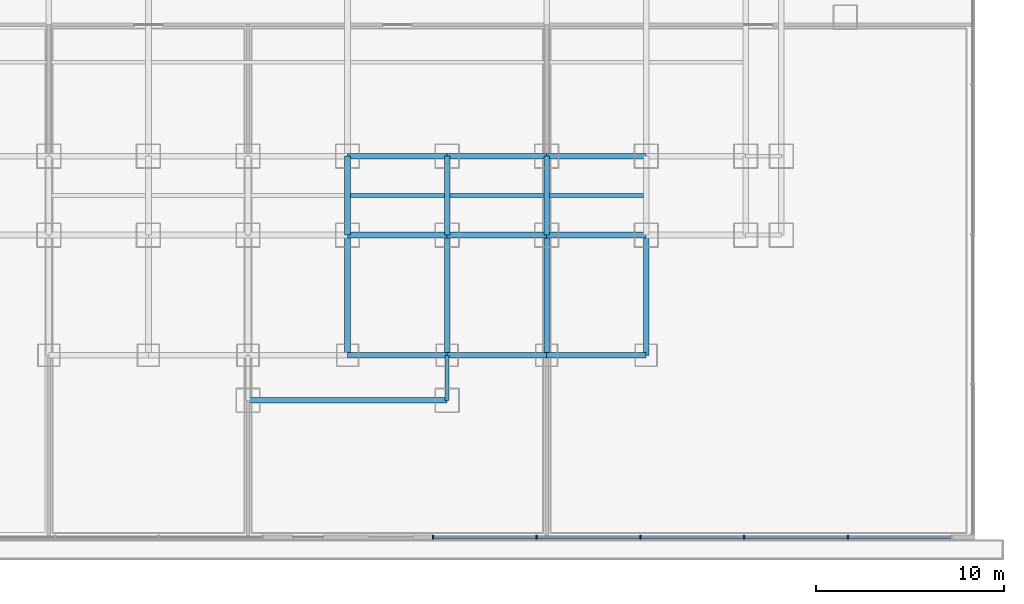
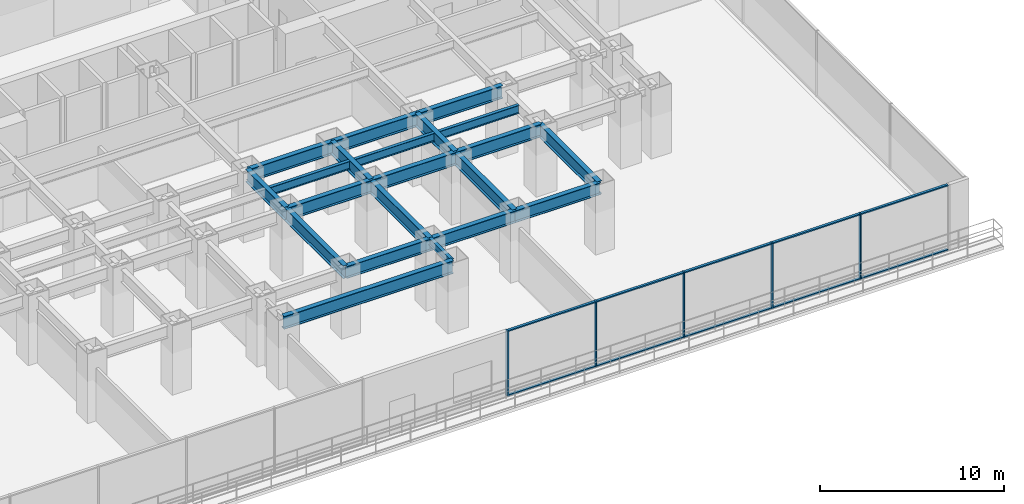
# One storey, part 3 of 13: 21 beams, 15 members, 1 element without a shape of its own.
"""IFC4 building model written with IfcOpenShell, lengths in metres."""

import ifcopenshell
import ifcopenshell.guid

model = None  # the IFC model being written
_history = None  # IfcOwnerHistory: only IFC2X3 demands one
_inside = {}  # id of a spatial element -> (the spatial element, [elements in it])
_under = {}  # id of a project, library or spatial element -> (it, [spatial elements below it])
_declared = {}  # id of a project -> (the project, [libraries it declares])
_typed = {}  # id of a type object -> (the type object, [elements of that type])
_made_of = {}  # id of a material, layer set ... -> (it, [elements and type objects made of it])


def new_model(schema):
    """Start an empty IFC model of exactly this schema.

    Asked for "IFC4X3", IfcOpenShell would pick the latest addendum, in which some entities
    have other attributes; the version numbers below select the first issue.
    IFC2X3 requires an IfcOwnerHistory on every rooted entity: one is made here for all.
    """
    global model, _history
    if schema == "IFC4X3":
        model = ifcopenshell.file(schema_version=(4, 3, 0, 0))
    else:
        model = ifcopenshell.file(schema=schema)
    _inside.clear()
    _under.clear()
    _declared.clear()
    _typed.clear()
    _made_of.clear()
    _history = None
    if model.schema == "IFC2X3":
        org = make("IfcOrganization", Name="unknown")
        user = make(
            "IfcPersonAndOrganization",
            ThePerson=make("IfcPerson", FamilyName="unknown"),
            TheOrganization=org,
        )
        app = make(
            "IfcApplication",
            ApplicationDeveloper=org,
            Version="unknown",
            ApplicationFullName="unknown",
            ApplicationIdentifier="unknown",
        )
        _history = make(
            "IfcOwnerHistory",
            OwningUser=user,
            OwningApplication=app,
            ChangeAction="ADDED",
            CreationDate=0,
        )
    return model


def make(cls, **values):
    """One entity of the class cls with the attributes given. An attribute that is None is left unset."""
    return model.create_entity(
        cls, **{name: value for name, value in values.items() if value is not None}
    )


def rooted(cls, **values):
    """An entity with a GlobalId (a new one), such as an element, a storey or a relation."""
    return make(cls, GlobalId=ifcopenshell.guid.new(), OwnerHistory=_history, **values)


def si_unit(unit_type, name, prefix=None):
    """IfcSIUnit, for example si_unit("LENGTHUNIT", "METRE", prefix="MILLI")."""
    return make("IfcSIUnit", UnitType=unit_type, Prefix=prefix, Name=name)


def assignment(units):
    """IfcUnitAssignment: the units of a project."""
    return None if units is None else make("IfcUnitAssignment", Units=units)


def point(xyz):
    """IfcCartesianPoint."""
    return None if xyz is None else make("IfcCartesianPoint", Coordinates=xyz)


def direction(xyz):
    """IfcDirection."""
    return None if xyz is None else make("IfcDirection", DirectionRatios=xyz)


def frame(location, z_axis=None, x_axis=None):
    """IfcAxis2Placement3D, a coordinate frame: its origin and axes. An axis left out is left unset."""
    return make(
        "IfcAxis2Placement3D",
        Location=point(location),
        Axis=direction(z_axis),
        RefDirection=direction(x_axis),
    )


def frame_2d(location, x_axis=None):
    """IfcAxis2Placement2D, a coordinate frame in the plane: its origin and x axis."""
    return make(
        "IfcAxis2Placement2D", Location=point(location), RefDirection=direction(x_axis)
    )


def origin():
    """The frame at (0, 0, 0) with its axes left unset."""
    return frame((0.0, 0.0, 0.0))


def origin_2d():
    """The frame at (0, 0) in the plane with its x axis left unset."""
    return frame_2d((0.0, 0.0))


def place(relative_to, where):
    """IfcLocalPlacement: puts the frame where relative to a parent placement (None: the world)."""
    return make(
        "IfcLocalPlacement", PlacementRelTo=relative_to, RelativePlacement=where
    )


def context(
    kind, dimensions, precision=None, world=None, true_north=None, identifier=None
):
    """IfcGeometricRepresentationContext, for example the 3D "Model" context."""
    return make(
        "IfcGeometricRepresentationContext",
        ContextIdentifier=identifier,
        ContextType=kind,
        CoordinateSpaceDimension=dimensions,
        Precision=precision,
        WorldCoordinateSystem=world,
        TrueNorth=true_north,
    )


def subcontext(parent, identifier, kind, view, scale=None):
    """IfcGeometricRepresentationSubContext, for example "Body" below "Model"."""
    return make(
        "IfcGeometricRepresentationSubContext",
        ContextIdentifier=identifier,
        ContextType=kind,
        ParentContext=parent,
        TargetScale=scale,
        TargetView=view,
    )


def project(units=None, contexts=None):
    """IfcProject with its units and contexts."""
    return rooted(
        "IfcProject",
        Name="project",
        RepresentationContexts=contexts,
        UnitsInContext=assignment(units),
    )


def spatial(cls, under=None, at=None, **own):
    """A site, building, storey or space (cls), placed at a placement, below another one or the project."""
    s = rooted(cls, ObjectPlacement=at, **own)
    if under is not None:
        _under.setdefault(under.id(), (under, []))[1].append(s)
    return s


def profile(cls, at=None, kind="AREA", **sizes):
    """A parametric profile (cls). Its sizes go by their IFC names, for example OverallWidth=200.0."""
    return make(cls, ProfileType=kind, Position=at, **sizes)


def rectangle(**sizes):
    """IfcRectangleProfileDef."""
    return profile("IfcRectangleProfileDef", **sizes)


def i_section(**sizes):
    """IfcIShapeProfileDef."""
    return profile("IfcIShapeProfileDef", **sizes)


def extrude(swept, where, along, depth):
    """IfcExtrudedAreaSolid: the profile swept, set in the frame where, extruded along a direction by depth."""
    return make(
        "IfcExtrudedAreaSolid",
        SweptArea=swept,
        Position=where,
        ExtrudedDirection=direction(along),
        Depth=depth,
    )


def shape(context_of_items, identifier, shape_type, items):
    """IfcShapeRepresentation: the items that make up one representation, for example the "Body"."""
    return make(
        "IfcShapeRepresentation",
        ContextOfItems=context_of_items,
        RepresentationIdentifier=identifier,
        RepresentationType=shape_type,
        Items=items,
    )


def source(mapping_origin, context_of_items, identifier, shape_type, items):
    """IfcRepresentationMap: a shape defined once, which mapped items show again and again."""
    return make(
        "IfcRepresentationMap",
        MappingOrigin=mapping_origin,
        MappedRepresentation=shape(context_of_items, identifier, shape_type, items),
    )


def transform(
    local_origin,
    x_axis=None,
    y_axis=None,
    z_axis=None,
    scale=None,
    scale2=None,
    scale3=None,
    uniform=True,
):
    """IfcCartesianTransformationOperator3D, or its non-uniform kind. x_axis, y_axis, z_axis: its Axis1, 2, 3."""
    if uniform:
        return make(
            "IfcCartesianTransformationOperator3D",
            Axis1=direction(x_axis),
            Axis2=direction(y_axis),
            LocalOrigin=point(local_origin),
            Scale=scale,
            Axis3=direction(z_axis),
        )
    return make(
        "IfcCartesianTransformationOperator3DnonUniform",
        Axis1=direction(x_axis),
        Axis2=direction(y_axis),
        LocalOrigin=point(local_origin),
        Scale=scale,
        Axis3=direction(z_axis),
        Scale2=scale2,
        Scale3=scale3,
    )


def mapped(mapping_source, mapping_target):
    """IfcMappedItem: shows the shape of a source again, moved by a transform."""
    return make(
        "IfcMappedItem", MappingSource=mapping_source, MappingTarget=mapping_target
    )


def material(Name=None, Category=None):
    """IfcMaterial."""
    return make("IfcMaterial", Name=Name, Category=Category)


def layer(
    of_material, thickness, ventilated=None, Name=None, Category=None, Priority=None
):
    """IfcMaterialLayer: one layer of a wall or slab, of a material (None: an air gap)."""
    return make(
        "IfcMaterialLayer",
        Material=of_material,
        LayerThickness=thickness,
        IsVentilated=ventilated,
        Name=Name,
        Category=Category,
        Priority=Priority,
    )


def layer_set(layers, Name=None):
    """IfcMaterialLayerSet."""
    return make("IfcMaterialLayerSet", MaterialLayers=layers, LayerSetName=Name)


def material_profile(
    of_material, cross_section, Name=None, Category=None, Priority=None
):
    """IfcMaterialProfile: a cross section and its material."""
    return make(
        "IfcMaterialProfile",
        Name=Name,
        Material=of_material,
        Profile=cross_section,
        Priority=Priority,
        Category=Category,
    )


def profile_set(profiles, Name=None, composite=None):
    """IfcMaterialProfileSet."""
    return make(
        "IfcMaterialProfileSet",
        Name=Name,
        MaterialProfiles=profiles,
        CompositeProfile=composite,
    )


def made_of(thing, what):
    """Note that an element or type object is made of a material, layer set ...; save() writes the relation."""
    if what is not None:
        _made_of.setdefault(what.id(), (what, []))[1].append(thing)
    return thing


def type_object(cls, material=None, **own):
    """A type object (cls), such as IfcWallType, which elements share."""
    return made_of(rooted(cls, **own), material)


def element(
    cls,
    number,
    at=None,
    inside=None,
    cuts=None,
    type_object=None,
    material=None,
    context=None,
    identifier="Body",
    shape_type=None,
    held_by="IfcProductDefinitionShape",
    body=None,
    shapes=None,
    **own,
):
    """One element of the class cls, such as IfcWall. Its Tag is "e" and its number.

    at: its placement. inside: the storey or other place that contains it. cuts: it is an
    opening in that element (IfcRelVoidsElement). A single representation is given by context,
    identifier, shape_type and body (its items); several are given by shapes. held_by: the class
    of the entity that holds the representations. save() writes the other relations.
    """
    e = rooted(cls, Tag="e%d" % number, ObjectPlacement=at, **own)
    if body is not None:
        shapes = [shape(context, identifier, shape_type, body)]
    if shapes is not None:
        e.Representation = make(held_by, Representations=shapes)
    if inside is not None:
        _inside.setdefault(inside.id(), (inside, []))[1].append(e)
    if cuts is not None:
        rooted(
            "IfcRelVoidsElement", RelatingBuildingElement=cuts, RelatedOpeningElement=e
        )
    if type_object is not None:
        _typed.setdefault(type_object.id(), (type_object, []))[1].append(e)
    return made_of(e, material)


def aggregate(whole, parts):
    """IfcRelAggregates: a whole, such as a stair, and the parts it consists of."""
    return rooted("IfcRelAggregates", RelatingObject=whole, RelatedObjects=parts)


def save(model, path):
    """Write the relations noted so far, then the file.

    IfcRelAggregates (storeys below a building ...), IfcRelContainedInSpatialStructure (elements
    in a storey), IfcRelDefinesByType, IfcRelAssociatesMaterial and IfcRelDeclares: one each for
    every whole, place, type object, material and project.
    """
    for whole, parts in _under.values():
        aggregate(whole, parts)
    for where, things in _inside.values():
        rooted(
            "IfcRelContainedInSpatialStructure",
            RelatedElements=things,
            RelatingStructure=where,
        )
    for kind, things in _typed.values():
        rooted("IfcRelDefinesByType", RelatedObjects=things, RelatingType=kind)
    for what, things in _made_of.values():
        rooted("IfcRelAssociatesMaterial", RelatedObjects=things, RelatingMaterial=what)
    for by, libraries in _declared.values():
        rooted("IfcRelDeclares", RelatingContext=by, RelatedDefinitions=libraries)
    model.write(path)


model = new_model("IFC4")

# Units and contexts
model_context = context("Model", 3, precision=1e-05, world=origin(), true_north=direction((0.0, 1.0)))
body_context = subcontext(model_context, "Body", "Model", "MODEL_VIEW")
ifc_project = project(units=[si_unit("LENGTHUNIT", "METRE"), si_unit("AREAUNIT", "SQUARE_METRE"), si_unit("VOLUMEUNIT", "CUBIC_METRE"), si_unit("PLANEANGLEUNIT", "RADIAN"), si_unit("MASSUNIT", "GRAM", prefix="KILO")], contexts=[model_context])

# Site, building, storey
site_placement = place(None, origin())
site = spatial("IfcSite", under=ifc_project, at=site_placement, CompositionType="ELEMENT")
building_placement = place(site_placement, origin())
building = spatial("IfcBuilding", under=site, at=building_placement, Name="Qianlan Lanfeng Residences", CompositionType="ELEMENT")
storey_placement = place(building_placement, frame((0.0, 0.0, 9.800048828125)))
storey = spatial("IfcBuildingStorey", under=building, at=storey_placement, Name="L02", CompositionType="ELEMENT", Elevation=9.800048828125)

# Beams
ifc_material_1 = material(Name="Steel SN490B", Category="steel")
ifc_material_profile_1 = material_profile(ifc_material_1, i_section(OverallWidth=0.300048828125, OverallDepth=0.85009765625, WebThickness=0.01611328125, FlangeThickness=0.031982421875, at=origin_2d()), Name="H 850x300x16x32")
ifc_profile_set_1 = profile_set([ifc_material_profile_1], Name="Steel SN490B")
beam_type_1 = type_object("IfcBeamType", Name="G-1100", PredefinedType="BEAM", material=ifc_profile_set_1)
beam_1_placement = place(storey_placement, frame((21.199951171875, 1.800048828125, 3.925048828125), z_axis=(1.0, 0.0, 0.0), x_axis=(0.0, 1.0, 0.0)))
element("IfcBeam", 1, at=beam_1_placement, inside=storey, type_object=beam_type_1, Name="Structural beam G-1100", PredefinedType="BEAM", context=body_context, shape_type="SweptSolid", body=[
    extrude(i_section(OverallWidth=0.300048828125, OverallDepth=0.85009765625, WebThickness=0.01611328125, FlangeThickness=0.031982421875, at=origin_2d()), origin(), (0.0, 0.0, 1.0), 10.60009765625),
])
for number, where, z_axis, x_axis, name in (
    (2, (26.5, 10.60009765625, 3.925048828125), (1.0, 0.0, 0.0), (0.0, 1.0, 0.0), "Structural beam G-1100"),
    (3, (31.800048828125, 10.60009765625, 3.925048828125), (1.0, 0.0, 0.0), (0.0, 1.0, 0.0), "Structural beam G-1100"),
):
    element("IfcBeam", number, at=place(storey_placement, frame(where, z_axis=z_axis, x_axis=x_axis)), inside=storey, type_object=beam_type_1, Name=name, PredefinedType="BEAM", context=body_context, shape_type="SweptSolid", body=[
        extrude(i_section(OverallWidth=0.300048828125, OverallDepth=0.85009765625, WebThickness=0.01611328125, FlangeThickness=0.031982421875, at=origin_2d()), origin(), (0.0, 0.0, 1.0), 5.300048828125),
    ])
beam_2_placement = place(storey_placement, frame((37.10009765625, 10.60009765625, 3.925048828125), z_axis=(1.0, 0.0, 0.0), x_axis=(0.0, 1.0, 0.0)))
element("IfcBeam", 4, at=beam_2_placement, inside=storey, type_object=beam_type_1, Name="Structural beam G-1100", PredefinedType="BEAM", context=body_context, shape_type="SweptSolid", body=[
    extrude(i_section(OverallWidth=0.300048828125, OverallDepth=0.85009765625, WebThickness=0.01611328125, FlangeThickness=0.031982421875, at=origin_2d()), origin(), (0.0, 0.0, 1.0), 5.2998046875),
])
for number, where, z_axis, x_axis, name in (
    (5, (26.5, 14.800048828125, 3.925048828125), (1.0, 0.0, 0.0), (0.0, 1.0, 0.0), "Structural beam G-1100"),
    (6, (31.800048828125, 14.800048828125, 3.925048828125), (1.0, 0.0, 0.0), (0.0, 1.0, 0.0), "Structural beam G-1100"),
):
    element("IfcBeam", number, at=place(storey_placement, frame(where, z_axis=z_axis, x_axis=x_axis)), inside=storey, type_object=beam_type_1, Name=name, PredefinedType="BEAM", context=body_context, shape_type="SweptSolid", body=[
        extrude(i_section(OverallWidth=0.300048828125, OverallDepth=0.85009765625, WebThickness=0.01611328125, FlangeThickness=0.031982421875, at=origin_2d()), origin(), (0.0, 0.0, 1.0), 5.300048828125),
    ])
beam_3_placement = place(storey_placement, frame((37.10009765625, 14.800048828125, 3.925048828125), z_axis=(1.0, 0.0, 0.0), x_axis=(0.0, 1.0, 0.0)))
element("IfcBeam", 7, at=beam_3_placement, inside=storey, type_object=beam_type_1, Name="Structural beam G-1100", PredefinedType="BEAM", context=body_context, shape_type="SweptSolid", body=[
    extrude(i_section(OverallWidth=0.300048828125, OverallDepth=0.85009765625, WebThickness=0.01611328125, FlangeThickness=0.031982421875, at=origin_2d()), origin(), (0.0, 0.0, 1.0), 5.2998046875),
])
beam_4_placement = place(storey_placement, frame((26.5, 4.199951171875, 3.925048828125), z_axis=(0.0, 1.0, 0.0), x_axis=(-1.0, 0.0, 0.0)))
element("IfcBeam", 8, at=beam_4_placement, inside=storey, type_object=beam_type_1, Name="Structural beam G-1100", PredefinedType="BEAM", context=body_context, shape_type="SweptSolid", body=[
    extrude(i_section(OverallWidth=0.300048828125, OverallDepth=0.85009765625, WebThickness=0.01611328125, FlangeThickness=0.031982421875, at=origin_2d()), origin(), (0.0, 0.0, 1.0), 6.400146484375),
])
beam_5_placement = place(storey_placement, frame((26.5, 10.60009765625, 3.925048828125), z_axis=(0.0, 1.0, 0.0), x_axis=(-1.0, 0.0, 0.0)))
element("IfcBeam", 9, at=beam_5_placement, inside=storey, type_object=beam_type_1, Name="Structural beam G-1100", PredefinedType="BEAM", context=body_context, shape_type="SweptSolid", body=[
    extrude(i_section(OverallWidth=0.300048828125, OverallDepth=0.85009765625, WebThickness=0.01611328125, FlangeThickness=0.031982421875, at=origin_2d()), origin(), (0.0, 0.0, 1.0), 4.199951171875),
])
beam_6_placement = place(storey_placement, frame((31.800048828125, 4.199951171875, 3.925048828125), z_axis=(0.0, 1.0, 0.0), x_axis=(-1.0, 0.0, 0.0)))
element("IfcBeam", 10, at=beam_6_placement, inside=storey, type_object=beam_type_1, Name="Structural beam G-1100", PredefinedType="BEAM", context=body_context, shape_type="SweptSolid", body=[
    extrude(i_section(OverallWidth=0.300048828125, OverallDepth=0.85009765625, WebThickness=0.01611328125, FlangeThickness=0.031982421875, at=origin_2d()), origin(), (0.0, 0.0, 1.0), 6.400146484375),
])
beam_7_placement = place(storey_placement, frame((31.800048828125, 10.60009765625, 3.925048828125), z_axis=(0.0, 1.0, 0.0), x_axis=(-1.0, 0.0, 0.0)))
element("IfcBeam", 11, at=beam_7_placement, inside=storey, type_object=beam_type_1, Name="Structural beam G-1100", PredefinedType="BEAM", context=body_context, shape_type="SweptSolid", body=[
    extrude(i_section(OverallWidth=0.300048828125, OverallDepth=0.85009765625, WebThickness=0.01611328125, FlangeThickness=0.031982421875, at=origin_2d()), origin(), (0.0, 0.0, 1.0), 4.199951171875),
])
beam_8_placement = place(storey_placement, frame((37.10009765625, 4.199951171875, 3.925048828125), z_axis=(0.0, 1.0, 0.0), x_axis=(-1.0, 0.0, 0.0)))
element("IfcBeam", 12, at=beam_8_placement, inside=storey, type_object=beam_type_1, Name="Structural beam G-1100", PredefinedType="BEAM", context=body_context, shape_type="SweptSolid", body=[
    extrude(i_section(OverallWidth=0.300048828125, OverallDepth=0.85009765625, WebThickness=0.01611328125, FlangeThickness=0.031982421875, at=origin_2d()), origin(), (0.0, 0.0, 1.0), 6.400146484375),
])
beam_9_placement = place(storey_placement, frame((37.10009765625, 10.60009765625, 3.925048828125), z_axis=(0.0, 1.0, 0.0), x_axis=(-1.0, 0.0, 0.0)))
element("IfcBeam", 13, at=beam_9_placement, inside=storey, type_object=beam_type_1, Name="Structural beam G-1100", PredefinedType="BEAM", context=body_context, shape_type="SweptSolid", body=[
    extrude(i_section(OverallWidth=0.300048828125, OverallDepth=0.85009765625, WebThickness=0.01611328125, FlangeThickness=0.031982421875, at=origin_2d()), origin(), (0.0, 0.0, 1.0), 4.199951171875),
])
beam_10_placement = place(storey_placement, frame((42.39990234375, 4.199951171875, 3.925048828125), z_axis=(0.0, 1.0, 0.0), x_axis=(-1.0, 0.0, 0.0)))
element("IfcBeam", 14, at=beam_10_placement, inside=storey, type_object=beam_type_1, Name="Structural beam G-1100", PredefinedType="BEAM", context=body_context, shape_type="SweptSolid", body=[
    extrude(i_section(OverallWidth=0.300048828125, OverallDepth=0.85009765625, WebThickness=0.01611328125, FlangeThickness=0.031982421875, at=origin_2d()), origin(), (0.0, 0.0, 1.0), 6.400146484375),
])
ifc_material_profile_2 = material_profile(ifc_material_1, i_section(OverallWidth=0.199951171875, OverallDepth=0.449951171875, WebThickness=0.009033203125, FlangeThickness=0.013916015625, at=origin_2d()), Name="H 450x200x9x14")
ifc_profile_set_2 = profile_set([ifc_material_profile_2], Name="Steel SN490B")
beam_type_2 = type_object("IfcBeamType", Name="J-450", PredefinedType="JOIST", material=ifc_profile_set_2)
beam_11_placement = place(storey_placement, frame((31.800048828125, 1.800048828125, 4.125), z_axis=(0.0, 1.0, 0.0), x_axis=(-1.0, 0.0, 0.0)))
element("IfcBeam", 15, at=beam_11_placement, inside=storey, type_object=beam_type_2, Name="Structural beam J-450", PredefinedType="JOIST", context=body_context, shape_type="SweptSolid", body=[
    extrude(i_section(OverallWidth=0.199951171875, OverallDepth=0.449951171875, WebThickness=0.009033203125, FlangeThickness=0.013916015625, at=origin_2d()), origin(), (0.0, 0.0, 1.0), 2.39990234375),
])
ifc_material_profile_3 = material_profile(ifc_material_1, i_section(OverallWidth=0.199951171875, OverallDepth=0.550048828125, WebThickness=0.010986328125, FlangeThickness=0.01806640625, at=origin_2d()), Name="H 550x200x11x18")
ifc_profile_set_3 = profile_set([ifc_material_profile_3], Name="Steel SN490B")
beam_type_3 = type_object("IfcBeamType", Name="J-550", PredefinedType="JOIST", material=ifc_profile_set_3)
for number, where, z_axis, x_axis, name in (
    (16, (26.64990234375, 12.699951171875, 4.074951171875), (1.0, 0.0, 0.0), (0.0, 1.0, 0.0), "Structural beam J-550"),
    (17, (31.949951171875, 12.699951171875, 4.074951171875), (1.0, 0.0, 0.0), (0.0, 1.0, 0.0), "Structural beam J-550"),
    (18, (37.25, 12.699951171875, 4.074951171875), (1.0, 0.0, 0.0), (0.0, 1.0, 0.0), "Structural beam J-550"),
):
    element("IfcBeam", number, at=place(storey_placement, frame(where, z_axis=z_axis, x_axis=x_axis)), inside=storey, type_object=beam_type_3, Name=name, PredefinedType="JOIST", context=body_context, shape_type="SweptSolid", body=[
        extrude(i_section(OverallWidth=0.199951171875, OverallDepth=0.550048828125, WebThickness=0.010986328125, FlangeThickness=0.01806640625, at=origin_2d()), origin(), (0.0, 0.0, 1.0), 5.0),
    ])
ifc_material_profile_4 = material_profile(ifc_material_1, i_section(OverallWidth=0.300048828125, OverallDepth=0.800048828125, WebThickness=0.01611328125, FlangeThickness=0.028076171875, at=origin_2d()), Name="H 800x300x16x28")
ifc_profile_set_4 = profile_set([ifc_material_profile_4], Name="Steel SN490B")
beam_type_4 = type_object("IfcBeamType", Name="SG-950", PredefinedType="SPANDREL", material=ifc_profile_set_4)
for number, where, z_axis, x_axis, name in (
    (19, (26.5, 4.199951171875, 3.949951171875), (1.0, 0.0, 0.0), (0.0, 1.0, 0.0), "Structural beam SG-950"),
    (20, (31.800048828125, 4.199951171875, 3.949951171875), (1.0, 0.0, 0.0), (0.0, 1.0, 0.0), "Structural beam SG-950"),
):
    element("IfcBeam", number, at=place(storey_placement, frame(where, z_axis=z_axis, x_axis=x_axis)), inside=storey, type_object=beam_type_4, Name=name, PredefinedType="SPANDREL", context=body_context, shape_type="SweptSolid", body=[
        extrude(i_section(OverallWidth=0.300048828125, OverallDepth=0.800048828125, WebThickness=0.01611328125, FlangeThickness=0.028076171875, at=origin_2d()), origin(), (0.0, 0.0, 1.0), 5.300048828125),
    ])
beam_12_placement = place(storey_placement, frame((37.10009765625, 4.199951171875, 3.949951171875), z_axis=(1.0, 0.0, 0.0), x_axis=(0.0, 1.0, 0.0)))
element("IfcBeam", 21, at=beam_12_placement, inside=storey, type_object=beam_type_4, Name="Structural beam SG-950", PredefinedType="SPANDREL", context=body_context, shape_type="SweptSolid", body=[
    extrude(i_section(OverallWidth=0.300048828125, OverallDepth=0.800048828125, WebThickness=0.01611328125, FlangeThickness=0.028076171875, at=origin_2d()), origin(), (0.0, 0.0, 1.0), 5.2998046875),
])

# Curtain wall, members
ifc_material_2 = material(Name="Anodised Bronze Aluminium 6063-T6", Category="aluminium")
ifc_layer = layer(ifc_material_2, 0.219970703125)
ifc_layer_set = layer_set([ifc_layer], Name="Anodised Bronze Aluminium 6063-T6")
curtain_wall_type = type_object("IfcCurtainWallType", Name="CW-01", PredefinedType="NOTDEFINED", material=ifc_layer_set)
curtain_wall_placement = place(storey_placement, origin())
curtain_wall = element("IfcCurtainWall", 22, at=curtain_wall_placement, inside=storey, type_object=curtain_wall_type, Name="L02 Unitised Curtain Wall CWR-L02-SE (CW-01)", PredefinedType="NOTDEFINED")
ifc_material_profile_5 = material_profile(ifc_material_2, rectangle(XDim=0.080078125, YDim=0.2099609375, at=origin_2d()), Name="ALU MULLION 80x210")
ifc_profile_set_5 = profile_set([ifc_material_profile_5], Name="Anodised Bronze Aluminium 6063-T6")
member_type_1 = type_object("IfcMemberType", Name="CWM-220", PredefinedType="MULLION", material=ifc_profile_set_5)
shared_shape_1 = source(origin(), body_context, "Body", "SweptSolid", [
    extrude(rectangle(XDim=0.080078125, YDim=0.2099609375, at=origin_2d()), origin(), (0.0, 0.0, 1.0), 4.349853515625),
])
member_1_placement = place(storey_placement, frame((31.0400390625, -5.47998046875, 0.0), z_axis=(0.0, 0.0, 1.0), x_axis=(1.0, 0.0, 0.0)))
member_1 = element("IfcMember", 23, at=member_1_placement, type_object=member_type_1, Name="CWR-L02-SE Mullion 1", PredefinedType="MULLION", context=body_context, shape_type="MappedRepresentation", body=[
    mapped(shared_shape_1, transform((0.0, 0.0, 0.0), scale=1.0)),
])
member_2_placement = place(storey_placement, frame((36.56396484375, -5.47998046875, 0.0), z_axis=(0.0, 0.0, 1.0), x_axis=(1.0, 0.0, 0.0)))
member_2 = element("IfcMember", 24, at=member_2_placement, type_object=member_type_1, Name="CWR-L02-SE Mullion 2", PredefinedType="MULLION", context=body_context, shape_type="MappedRepresentation", body=[
    mapped(shared_shape_1, transform((0.0, 0.0, 0.0), scale=1.0)),
])
member_3_placement = place(storey_placement, frame((42.087890625, -5.47998046875, 0.0), z_axis=(0.0, 0.0, 1.0), x_axis=(1.0, 0.0, 0.0)))
member_3 = element("IfcMember", 25, at=member_3_placement, type_object=member_type_1, Name="CWR-L02-SE Mullion 3", PredefinedType="MULLION", context=body_context, shape_type="MappedRepresentation", body=[
    mapped(shared_shape_1, transform((0.0, 0.0, 0.0), scale=1.0)),
])
member_4_placement = place(storey_placement, frame((47.612060546875, -5.47998046875, 0.0), z_axis=(0.0, 0.0, 1.0), x_axis=(1.0, 0.0, 0.0)))
member_4 = element("IfcMember", 26, at=member_4_placement, type_object=member_type_1, Name="CWR-L02-SE Mullion 4", PredefinedType="MULLION", context=body_context, shape_type="MappedRepresentation", body=[
    mapped(shared_shape_1, transform((0.0, 0.0, 0.0), scale=1.0)),
])
member_5_placement = place(storey_placement, frame((53.135986328125, -5.47998046875, 0.0), z_axis=(0.0, 0.0, 1.0), x_axis=(1.0, 0.0, 0.0)))
member_5 = element("IfcMember", 27, at=member_5_placement, type_object=member_type_1, Name="CWR-L02-SE Mullion 5", PredefinedType="MULLION", context=body_context, shape_type="MappedRepresentation", body=[
    mapped(shared_shape_1, transform((0.0, 0.0, 0.0), scale=1.0)),
])
ifc_material_profile_6 = material_profile(ifc_material_2, rectangle(XDim=0.080078125, YDim=0.159912109375, at=origin_2d()), Name="ALU TRANSOM 80x160")
ifc_profile_set_6 = profile_set([ifc_material_profile_6], Name="Anodised Bronze Aluminium 6063-T6")
member_type_2 = type_object("IfcMemberType", Name="CWT-180", PredefinedType="USERDEFINED", material=ifc_profile_set_6)
shared_shape_2 = source(origin(), body_context, "Body", "SweptSolid", [
    extrude(rectangle(XDim=0.080078125, YDim=0.159912109375, at=origin_2d()), origin(), (0.0, 0.0, 1.0), 5.444091796875),
])
member_6_placement = place(storey_placement, frame((36.60400390625, -5.47998046875, 0.0400390625), z_axis=(1.0, 0.0, 0.0), x_axis=(0.0, 0.0, 1.0)))
member_6 = element("IfcMember", 28, at=member_6_placement, type_object=member_type_2, Name="CWR-L02-SE Transom 2-BOT", ObjectType="TRANSOM", PredefinedType="USERDEFINED", context=body_context, shape_type="MappedRepresentation", body=[
    mapped(shared_shape_2, transform((0.0, 0.0, 0.0), scale=1.0)),
])
member_7_placement = place(storey_placement, frame((36.60400390625, -5.47998046875, 4.31005859375), z_axis=(1.0, 0.0, 0.0), x_axis=(0.0, 0.0, 1.0)))
member_7 = element("IfcMember", 29, at=member_7_placement, type_object=member_type_2, Name="CWR-L02-SE Transom 2-TOP", ObjectType="TRANSOM", PredefinedType="USERDEFINED", context=body_context, shape_type="MappedRepresentation", body=[
    mapped(shared_shape_2, transform((0.0, 0.0, 0.0), scale=1.0)),
])
member_8_placement = place(storey_placement, frame((42.1279296875, -5.47998046875, 0.0400390625), z_axis=(1.0, 0.0, 0.0), x_axis=(0.0, 0.0, 1.0)))
member_8 = element("IfcMember", 30, at=member_8_placement, type_object=member_type_2, Name="CWR-L02-SE Transom 3-BOT", ObjectType="TRANSOM", PredefinedType="USERDEFINED", context=body_context, shape_type="MappedRepresentation", body=[
    mapped(shared_shape_2, transform((0.0, 0.0, 0.0), scale=1.0)),
])
member_9_placement = place(storey_placement, frame((42.1279296875, -5.47998046875, 4.31005859375), z_axis=(1.0, 0.0, 0.0), x_axis=(0.0, 0.0, 1.0)))
member_9 = element("IfcMember", 31, at=member_9_placement, type_object=member_type_2, Name="CWR-L02-SE Transom 3-TOP", ObjectType="TRANSOM", PredefinedType="USERDEFINED", context=body_context, shape_type="MappedRepresentation", body=[
    mapped(shared_shape_2, transform((0.0, 0.0, 0.0), scale=1.0)),
])
member_10_placement = place(storey_placement, frame((53.176025390625, -5.47998046875, 0.0400390625), z_axis=(1.0, 0.0, 0.0), x_axis=(0.0, 0.0, 1.0)))
member_10 = element("IfcMember", 32, at=member_10_placement, type_object=member_type_2, Name="CWR-L02-SE Transom 5-BOT", ObjectType="TRANSOM", PredefinedType="USERDEFINED", context=body_context, shape_type="MappedRepresentation", body=[
    mapped(shared_shape_2, transform((0.0, 0.0, 0.0), scale=1.0)),
])
member_11_placement = place(storey_placement, frame((53.176025390625, -5.47998046875, 4.31005859375), z_axis=(1.0, 0.0, 0.0), x_axis=(0.0, 0.0, 1.0)))
member_11 = element("IfcMember", 33, at=member_11_placement, type_object=member_type_2, Name="CWR-L02-SE Transom 5-TOP", ObjectType="TRANSOM", PredefinedType="USERDEFINED", context=body_context, shape_type="MappedRepresentation", body=[
    mapped(shared_shape_2, transform((0.0, 0.0, 0.0), scale=1.0)),
])
shared_shape_3 = source(origin(), body_context, "Body", "SweptSolid", [
    extrude(rectangle(XDim=0.080078125, YDim=0.159912109375, at=origin_2d()), origin(), (0.0, 0.0, 1.0), 5.44384765625),
])
member_12_placement = place(storey_placement, frame((31.080078125, -5.47998046875, 0.0400390625), z_axis=(1.0, 0.0, 0.0), x_axis=(0.0, 0.0, 1.0)))
member_12 = element("IfcMember", 34, at=member_12_placement, type_object=member_type_2, Name="CWR-L02-SE Transom 1-BOT", ObjectType="TRANSOM", PredefinedType="USERDEFINED", context=body_context, shape_type="MappedRepresentation", body=[
    mapped(shared_shape_3, transform((0.0, 0.0, 0.0), scale=1.0)),
])
member_13_placement = place(storey_placement, frame((31.080078125, -5.47998046875, 4.31005859375), z_axis=(1.0, 0.0, 0.0), x_axis=(0.0, 0.0, 1.0)))
member_13 = element("IfcMember", 35, at=member_13_placement, type_object=member_type_2, Name="CWR-L02-SE Transom 1-TOP", ObjectType="TRANSOM", PredefinedType="USERDEFINED", context=body_context, shape_type="MappedRepresentation", body=[
    mapped(shared_shape_3, transform((0.0, 0.0, 0.0), scale=1.0)),
])
member_14_placement = place(storey_placement, frame((47.652099609375, -5.47998046875, 0.0400390625), z_axis=(1.0, 0.0, 0.0), x_axis=(0.0, 0.0, 1.0)))
member_14 = element("IfcMember", 36, at=member_14_placement, type_object=member_type_2, Name="CWR-L02-SE Transom 4-BOT", ObjectType="TRANSOM", PredefinedType="USERDEFINED", context=body_context, shape_type="MappedRepresentation", body=[
    mapped(shared_shape_3, transform((0.0, 0.0, 0.0), scale=1.0)),
])
member_15_placement = place(storey_placement, frame((47.652099609375, -5.47998046875, 4.31005859375), z_axis=(1.0, 0.0, 0.0), x_axis=(0.0, 0.0, 1.0)))
member_15 = element("IfcMember", 37, at=member_15_placement, type_object=member_type_2, Name="CWR-L02-SE Transom 4-TOP", ObjectType="TRANSOM", PredefinedType="USERDEFINED", context=body_context, shape_type="MappedRepresentation", body=[
    mapped(shared_shape_3, transform((0.0, 0.0, 0.0), scale=1.0)),
])
aggregate(curtain_wall, [member_1, member_2, member_3, member_4, member_5, member_12, member_13, member_6, member_7, member_8, member_9, member_14, member_15, member_10, member_11])

save(model, "model.ifc")
